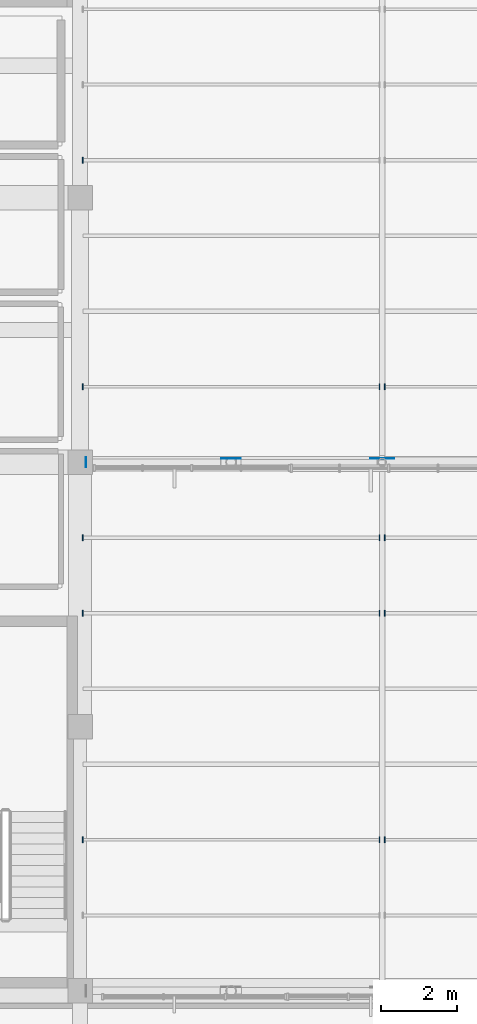
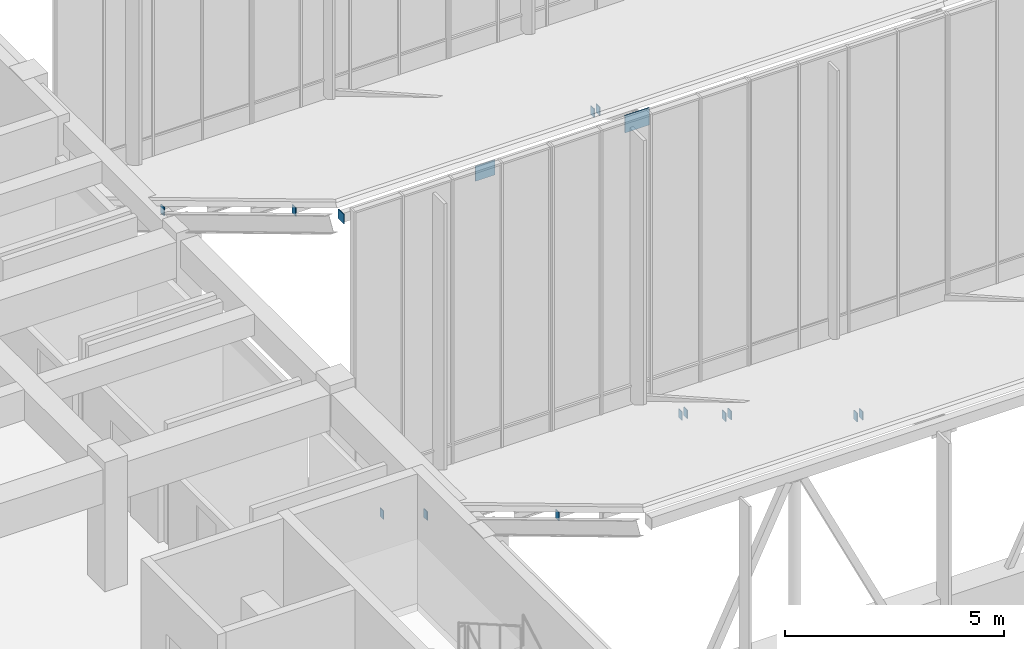
# One storey, part 86 of 155: 16 plates.
"""IFC4 building model written with IfcOpenShell, lengths in metres."""

import ifcopenshell
import ifcopenshell.guid

model = None  # the IFC model being written
_history = None  # IfcOwnerHistory: only IFC2X3 demands one
_inside = {}  # id of a spatial element -> (the spatial element, [elements in it])
_under = {}  # id of a project, library or spatial element -> (it, [spatial elements below it])
_declared = {}  # id of a project -> (the project, [libraries it declares])
_typed = {}  # id of a type object -> (the type object, [elements of that type])
_made_of = {}  # id of a material, layer set ... -> (it, [elements and type objects made of it])


def new_model(schema):
    """Start an empty IFC model of exactly this schema.

    Asked for "IFC4X3", IfcOpenShell would pick the latest addendum, in which some entities
    have other attributes; the version numbers below select the first issue.
    IFC2X3 requires an IfcOwnerHistory on every rooted entity: one is made here for all.
    """
    global model, _history
    if schema == "IFC4X3":
        model = ifcopenshell.file(schema_version=(4, 3, 0, 0))
    else:
        model = ifcopenshell.file(schema=schema)
    _inside.clear()
    _under.clear()
    _declared.clear()
    _typed.clear()
    _made_of.clear()
    _history = None
    if model.schema == "IFC2X3":
        org = make("IfcOrganization", Name="unknown")
        user = make(
            "IfcPersonAndOrganization",
            ThePerson=make("IfcPerson", FamilyName="unknown"),
            TheOrganization=org,
        )
        app = make(
            "IfcApplication",
            ApplicationDeveloper=org,
            Version="unknown",
            ApplicationFullName="unknown",
            ApplicationIdentifier="unknown",
        )
        _history = make(
            "IfcOwnerHistory",
            OwningUser=user,
            OwningApplication=app,
            ChangeAction="ADDED",
            CreationDate=0,
        )
    return model


def make(cls, **values):
    """One entity of the class cls with the attributes given. An attribute that is None is left unset."""
    return model.create_entity(
        cls, **{name: value for name, value in values.items() if value is not None}
    )


def rooted(cls, **values):
    """An entity with a GlobalId (a new one), such as an element, a storey or a relation."""
    return make(cls, GlobalId=ifcopenshell.guid.new(), OwnerHistory=_history, **values)


def si_unit(unit_type, name, prefix=None):
    """IfcSIUnit, for example si_unit("LENGTHUNIT", "METRE", prefix="MILLI")."""
    return make("IfcSIUnit", UnitType=unit_type, Prefix=prefix, Name=name)


def assignment(units):
    """IfcUnitAssignment: the units of a project."""
    return None if units is None else make("IfcUnitAssignment", Units=units)


def point(xyz):
    """IfcCartesianPoint."""
    return None if xyz is None else make("IfcCartesianPoint", Coordinates=xyz)


def direction(xyz):
    """IfcDirection."""
    return None if xyz is None else make("IfcDirection", DirectionRatios=xyz)


def frame(location, z_axis=None, x_axis=None):
    """IfcAxis2Placement3D, a coordinate frame: its origin and axes. An axis left out is left unset."""
    return make(
        "IfcAxis2Placement3D",
        Location=point(location),
        Axis=direction(z_axis),
        RefDirection=direction(x_axis),
    )


def frame_2d(location, x_axis=None):
    """IfcAxis2Placement2D, a coordinate frame in the plane: its origin and x axis."""
    return make(
        "IfcAxis2Placement2D", Location=point(location), RefDirection=direction(x_axis)
    )


def origin():
    """The frame at (0, 0, 0) with its axes left unset."""
    return frame((0.0, 0.0, 0.0))


def origin_2d():
    """The frame at (0, 0) in the plane with its x axis left unset."""
    return frame_2d((0.0, 0.0))


def place(relative_to, where):
    """IfcLocalPlacement: puts the frame where relative to a parent placement (None: the world)."""
    return make(
        "IfcLocalPlacement", PlacementRelTo=relative_to, RelativePlacement=where
    )


def context(
    kind, dimensions, precision=None, world=None, true_north=None, identifier=None
):
    """IfcGeometricRepresentationContext, for example the 3D "Model" context."""
    return make(
        "IfcGeometricRepresentationContext",
        ContextIdentifier=identifier,
        ContextType=kind,
        CoordinateSpaceDimension=dimensions,
        Precision=precision,
        WorldCoordinateSystem=world,
        TrueNorth=true_north,
    )


def subcontext(parent, identifier, kind, view, scale=None):
    """IfcGeometricRepresentationSubContext, for example "Body" below "Model"."""
    return make(
        "IfcGeometricRepresentationSubContext",
        ContextIdentifier=identifier,
        ContextType=kind,
        ParentContext=parent,
        TargetScale=scale,
        TargetView=view,
    )


def project(units=None, contexts=None):
    """IfcProject with its units and contexts."""
    return rooted(
        "IfcProject",
        Name="project",
        RepresentationContexts=contexts,
        UnitsInContext=assignment(units),
    )


def spatial(cls, under=None, at=None, **own):
    """A site, building, storey or space (cls), placed at a placement, below another one or the project."""
    s = rooted(cls, ObjectPlacement=at, **own)
    if under is not None:
        _under.setdefault(under.id(), (under, []))[1].append(s)
    return s


def profile(cls, at=None, kind="AREA", **sizes):
    """A parametric profile (cls). Its sizes go by their IFC names, for example OverallWidth=200.0."""
    return make(cls, ProfileType=kind, Position=at, **sizes)


def rectangle(**sizes):
    """IfcRectangleProfileDef."""
    return profile("IfcRectangleProfileDef", **sizes)


def extrude(swept, where, along, depth):
    """IfcExtrudedAreaSolid: the profile swept, set in the frame where, extruded along a direction by depth."""
    return make(
        "IfcExtrudedAreaSolid",
        SweptArea=swept,
        Position=where,
        ExtrudedDirection=direction(along),
        Depth=depth,
    )


def shape(context_of_items, identifier, shape_type, items):
    """IfcShapeRepresentation: the items that make up one representation, for example the "Body"."""
    return make(
        "IfcShapeRepresentation",
        ContextOfItems=context_of_items,
        RepresentationIdentifier=identifier,
        RepresentationType=shape_type,
        Items=items,
    )


def material(Name=None, Category=None):
    """IfcMaterial."""
    return make("IfcMaterial", Name=Name, Category=Category)


def layer(
    of_material, thickness, ventilated=None, Name=None, Category=None, Priority=None
):
    """IfcMaterialLayer: one layer of a wall or slab, of a material (None: an air gap)."""
    return make(
        "IfcMaterialLayer",
        Material=of_material,
        LayerThickness=thickness,
        IsVentilated=ventilated,
        Name=Name,
        Category=Category,
        Priority=Priority,
    )


def layer_set(layers, Name=None):
    """IfcMaterialLayerSet."""
    return make("IfcMaterialLayerSet", MaterialLayers=layers, LayerSetName=Name)


def made_of(thing, what):
    """Note that an element or type object is made of a material, layer set ...; save() writes the relation."""
    if what is not None:
        _made_of.setdefault(what.id(), (what, []))[1].append(thing)
    return thing


def type_object(cls, material=None, **own):
    """A type object (cls), such as IfcWallType, which elements share."""
    return made_of(rooted(cls, **own), material)


def element(
    cls,
    number,
    at=None,
    inside=None,
    cuts=None,
    type_object=None,
    material=None,
    context=None,
    identifier="Body",
    shape_type=None,
    held_by="IfcProductDefinitionShape",
    body=None,
    shapes=None,
    **own,
):
    """One element of the class cls, such as IfcWall. Its Tag is "e" and its number.

    at: its placement. inside: the storey or other place that contains it. cuts: it is an
    opening in that element (IfcRelVoidsElement). A single representation is given by context,
    identifier, shape_type and body (its items); several are given by shapes. held_by: the class
    of the entity that holds the representations. save() writes the other relations.
    """
    e = rooted(cls, Tag="e%d" % number, ObjectPlacement=at, **own)
    if body is not None:
        shapes = [shape(context, identifier, shape_type, body)]
    if shapes is not None:
        e.Representation = make(held_by, Representations=shapes)
    if inside is not None:
        _inside.setdefault(inside.id(), (inside, []))[1].append(e)
    if cuts is not None:
        rooted(
            "IfcRelVoidsElement", RelatingBuildingElement=cuts, RelatedOpeningElement=e
        )
    if type_object is not None:
        _typed.setdefault(type_object.id(), (type_object, []))[1].append(e)
    return made_of(e, material)


def aggregate(whole, parts):
    """IfcRelAggregates: a whole, such as a stair, and the parts it consists of."""
    return rooted("IfcRelAggregates", RelatingObject=whole, RelatedObjects=parts)


def save(model, path):
    """Write the relations noted so far, then the file.

    IfcRelAggregates (storeys below a building ...), IfcRelContainedInSpatialStructure (elements
    in a storey), IfcRelDefinesByType, IfcRelAssociatesMaterial and IfcRelDeclares: one each for
    every whole, place, type object, material and project.
    """
    for whole, parts in _under.values():
        aggregate(whole, parts)
    for where, things in _inside.values():
        rooted(
            "IfcRelContainedInSpatialStructure",
            RelatedElements=things,
            RelatingStructure=where,
        )
    for kind, things in _typed.values():
        rooted("IfcRelDefinesByType", RelatedObjects=things, RelatingType=kind)
    for what, things in _made_of.values():
        rooted("IfcRelAssociatesMaterial", RelatedObjects=things, RelatingMaterial=what)
    for by, libraries in _declared.values():
        rooted("IfcRelDeclares", RelatingContext=by, RelatedDefinitions=libraries)
    model.write(path)


model = new_model("IFC4")

# Units and contexts
model_context = context("Model", 3, precision=1e-05, world=origin(), true_north=direction((0.0, 1.0)))
body_context = subcontext(model_context, "Body", "Model", "MODEL_VIEW")
ifc_project = project(units=[si_unit("LENGTHUNIT", "METRE"), si_unit("AREAUNIT", "SQUARE_METRE"), si_unit("VOLUMEUNIT", "CUBIC_METRE"), si_unit("PLANEANGLEUNIT", "RADIAN"), si_unit("MASSUNIT", "GRAM", prefix="KILO")], contexts=[model_context])

# Site, building, storey
site_placement = place(None, origin())
site = spatial("IfcSite", under=ifc_project, at=site_placement, CompositionType="ELEMENT")
building_placement = place(site_placement, origin())
building = spatial("IfcBuilding", under=site, at=building_placement, Name="Larkveld Mobility Hub", CompositionType="ELEMENT")
storey_placement = place(building_placement, frame((0.0, 0.0, 8.39990234375)))
storey = spatial("IfcBuildingStorey", under=building, at=storey_placement, Name="L02", CompositionType="ELEMENT", Elevation=8.39990234375)

# Plates
ifc_material = material(Name="Steel S355JR", Category="steel")
ifc_layer_1 = layer(ifc_material, 0.02001953125, Name="Steel S355JR", Category="steel")
ifc_layer_set_1 = layer_set([ifc_layer_1], Name="Steel S355JR")
plate_type_1 = type_object("IfcPlateType", Name="PT-EC02", PredefinedType="USERDEFINED", material=ifc_layer_set_1)
plate_1_placement = place(storey_placement, frame((152.159912109375, 42.0, 7.8203125), z_axis=(0.0, 0.0, 1.0), x_axis=(1.0, 0.0, 0.0)))
element("IfcPlate", 1, at=plate_1_placement, inside=storey, type_object=plate_type_1, Name="Hollow Chord End Cap Plate EC-017", ObjectType="GUSSET PLATE", PredefinedType="USERDEFINED", context=body_context, shape_type="SweptSolid", body=[
    extrude(rectangle(XDim=0.02001953125, YDim=0.260009765625, at=origin_2d()), origin(), (0.0, 0.0, 1.0), 0.260009765625),
])
for number, where, z_axis, x_axis, name in (
    (2, (152.072021484375, 32.0, 5.6171875), (0.0, 0.0, 1.0), (1.0, 0.0, 0.0), "Hollow Purlin End Cap Plate PEC-072"),
    (3, (159.927978515625, 32.0, 5.6171875), (0.0, 0.0, 1.0), (1.0, 0.0, 0.0), "Hollow Purlin End Cap Plate PEC-073"),
    (4, (160.072021484375, 32.0, 5.6171875), (0.0, 0.0, 1.0), (1.0, 0.0, 0.0), "Hollow Purlin End Cap Plate PEC-074"),
    (5, (152.072021484375, 38.0, 1.9873046875), (0.0, 0.0, 1.0), (1.0, 0.0, 0.0), "Hollow Purlin End Cap Plate PEC-080"),
    (6, (159.927978515625, 38.0, 1.9873046875), (0.0, 0.0, 1.0), (1.0, 0.0, 0.0), "Hollow Purlin End Cap Plate PEC-081"),
    (7, (160.072021484375, 38.0, 1.9873046875), (0.0, 0.0, 1.0), (1.0, 0.0, 0.0), "Hollow Purlin End Cap Plate PEC-082"),
    (8, (152.072021484375, 40.0, 0.80712890625), (0.0, 0.0, 1.0), (1.0, 0.0, 0.0), "Hollow Purlin End Cap Plate PEC-088"),
    (9, (159.927978515625, 40.0, 0.80712890625), (0.0, 0.0, 1.0), (1.0, 0.0, 0.0), "Hollow Purlin End Cap Plate PEC-089"),
    (10, (160.072021484375, 40.0, 0.80712890625), (0.0, 0.0, 1.0), (1.0, 0.0, 0.0), "Hollow Purlin End Cap Plate PEC-090"),
    (11, (152.072021484375, 44.0, 6.81689453125), (0.0, 0.0, 1.0), (1.0, 0.0, 0.0), "Hollow Purlin End Cap Plate PEC-096"),
    (12, (159.927978515625, 44.0, 6.81689453125), (0.0, 0.0, 1.0), (1.0, 0.0, 0.0), "Hollow Purlin End Cap Plate PEC-097"),
    (13, (160.072021484375, 44.0, 6.81689453125), (0.0, 0.0, 1.0), (1.0, 0.0, 0.0), "Hollow Purlin End Cap Plate PEC-098"),
    (14, (152.072021484375, 50.0, 3.18701171875), (0.0, 0.0, 1.0), (1.0, 0.0, 0.0), "Hollow Purlin End Cap Plate PEC-104"),
):
    element("IfcPlate", number, at=place(storey_placement, frame(where, z_axis=z_axis, x_axis=x_axis)), inside=storey, type_object=plate_type_1, Name=name, ObjectType="GUSSET PLATE", PredefinedType="USERDEFINED", context=body_context, shape_type="SweptSolid", body=[
        extrude(rectangle(XDim=0.02001953125, YDim=0.159912109375, at=origin_2d()), origin(), (0.0, 0.0, 1.0), 0.239990234375),
    ])
ifc_layer_2 = layer(ifc_material, 0.02001953125, Name="Steel S355JR", Category="steel")
ifc_layer_set_2 = layer_set([ifc_layer_2], Name="Steel S355JR")
plate_type_2 = type_object("IfcPlateType", Name="PT-GS01", PredefinedType="USERDEFINED", material=ifc_layer_set_2)
plate_2_placement = place(storey_placement, frame((156.0, 42.10009765625, 7.615234375), z_axis=(0.0, 0.0, 1.0), x_axis=(1.0, 0.0, 0.0)))
element("IfcPlate", 15, at=plate_2_placement, inside=storey, type_object=plate_type_2, Name="Truss Node Gusset Plate TN-010", ObjectType="GUSSET PLATE", PredefinedType="USERDEFINED", context=body_context, shape_type="SweptSolid", body=[
    extrude(rectangle(XDim=0.52001953125, YDim=0.02001953125, at=origin_2d()), origin(), (0.0, 0.0, 1.0), 0.419921875),
])
ifc_layer_3 = layer(ifc_material, 0.02392578125, Name="Steel S355JR", Category="steel")
ifc_layer_set_3 = layer_set([ifc_layer_3], Name="Steel S355JR")
plate_type_3 = type_object("IfcPlateType", Name="PT-GS02", PredefinedType="USERDEFINED", material=ifc_layer_set_3)
plate_3_placement = place(storey_placement, frame((160.0, 42.10009765625, 7.585205078125), z_axis=(0.0, 0.0, 1.0), x_axis=(1.0, 0.0, 0.0)))
element("IfcPlate", 16, at=plate_3_placement, inside=storey, type_object=plate_type_3, Name="Truss Node Gusset Plate TN-011", ObjectType="GUSSET PLATE", PredefinedType="USERDEFINED", context=body_context, shape_type="SweptSolid", body=[
    extrude(rectangle(XDim=0.639892578125, YDim=0.02392578125, at=origin_2d()), origin(), (0.0, 0.0, 1.0), 0.47998046875),
])

save(model, "model.ifc")
